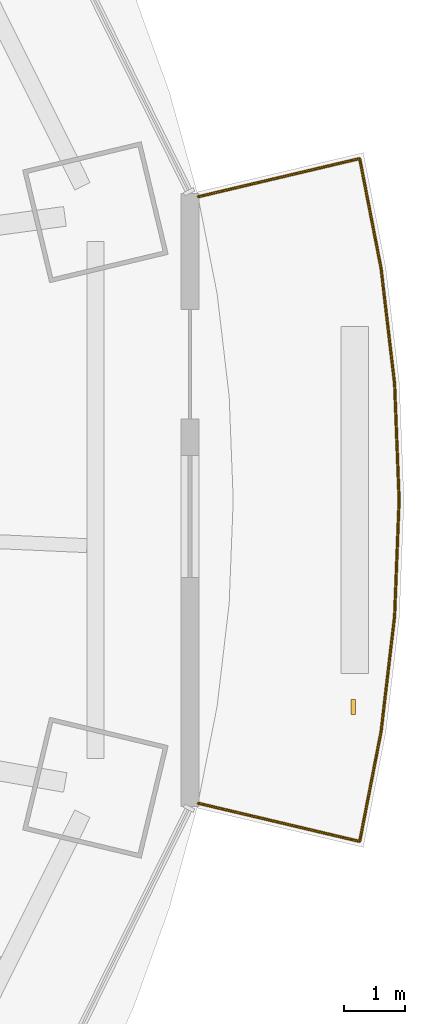
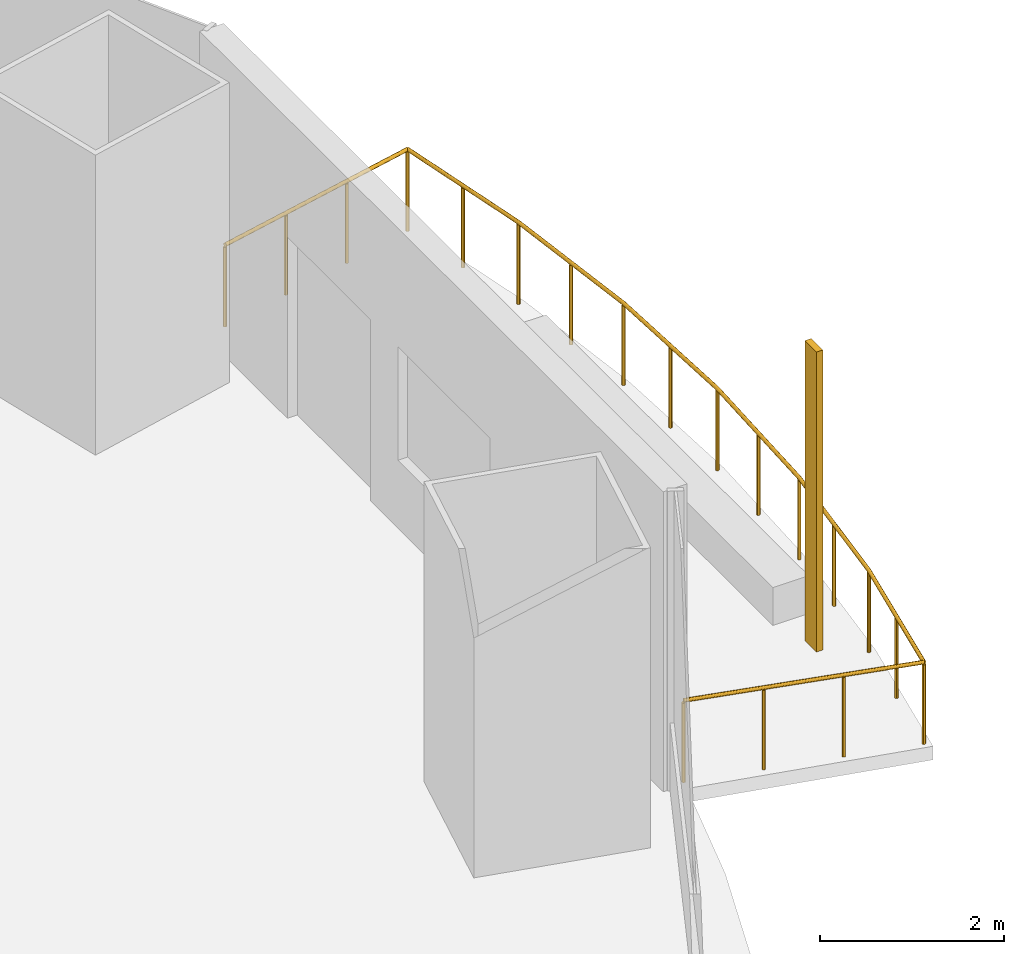
# One storey, part 18 of 19: 1 railing, 1 shading device.
"""IFC4 building model written with IfcOpenShell, lengths in metres."""

from ifc_helpers import new_model, si_unit, direction, frame, origin, origin_2d, place, context, subcontext, project, spatial, rectangle, circle, extrude, material, material_profile, profile_set, type_object, element, save


model = new_model("IFC4")

# Units and contexts
model_context = context("Model", 3, precision=1e-05, world=origin(), true_north=direction((0.0, 1.0)))
body_context = subcontext(model_context, "Body", "Model", "MODEL_VIEW")
ifc_project = project(units=[si_unit("LENGTHUNIT", "METRE"), si_unit("AREAUNIT", "SQUARE_METRE"), si_unit("VOLUMEUNIT", "CUBIC_METRE"), si_unit("PLANEANGLEUNIT", "RADIAN"), si_unit("MASSUNIT", "GRAM", prefix="KILO")], contexts=[model_context])

# Site, building, storey
site_placement = place(None, origin())
site = spatial("IfcSite", under=ifc_project, at=site_placement, CompositionType="ELEMENT")
building_placement = place(site_placement, origin())
building = spatial("IfcBuilding", under=site, at=building_placement, Name="Marenthal Gate Tower", CompositionType="ELEMENT")
storey_placement = place(building_placement, frame((0.0, 0.0, 223.300048828125)))
storey = spatial("IfcBuildingStorey", under=building, at=storey_placement, Name="L49", CompositionType="ELEMENT", Elevation=223.300048828125)

# Railing
ifc_material_1 = material(Name="Stainless steel", Category="steel")
railing_type = type_object("IfcRailingType", Name="Balcony guard 1100", PredefinedType="GUARDRAIL", material=ifc_material_1)
railing_placement = place(storey_placement, frame((32.034423828125, 4.3720703125, 0.0)))
element("IfcRailing", 1, at=railing_placement, inside=storey, type_object=railing_type, Name="Balcony guard L49 bay 16", PredefinedType="GUARDRAIL", context=body_context, shape_type="SweptSolid", body=[
    extrude(circle(Radius=0.02392578125, at=origin_2d()), frame((0.0, 0.0, 1.076171875), z_axis=(0.973052153091, 0.230114897669, -0.014718737604), x_axis=(-0.230139827907, 0.97315757183, 0.0)), (0.0, 0.0, 1.0), 2.72021484375),
    extrude(circle(Radius=0.02392578125, at=origin_2d()), frame((2.64697265625, 0.6259765625, 1.0361328125), z_axis=(0.191194170829, -0.981552234494, 0.0), x_axis=(0.981552234494, 0.191194170829, 0.0)), (0.0, 0.0, 1.0), 1.832275390625),
    extrude(circle(Radius=0.02392578125, at=origin_2d()), frame((2.997314453125, -1.172607421875, 1.0361328125), z_axis=(0.116314112708, -0.993212478368, 0.0), x_axis=(0.993212478368, 0.116314112708, 0.0)), (0.0, 0.0, 1.0), 1.907958984375),
    extrude(circle(Radius=0.02392578125, at=origin_2d()), frame((3.21923828125, -3.067626953125, 1.0361328125), z_axis=(0.038939806905, -0.999241558102, 0.0), x_axis=(0.999241558102, 0.038939806905, 0.0)), (0.0, 0.0, 1.0), 1.906005859375),
    extrude(circle(Radius=0.02392578125, at=origin_2d()), frame((3.29345703125, -4.97216796875, 1.0361328125), z_axis=(-0.038944791616, -0.999241363839, 0.0), x_axis=(0.999241363839, -0.038944791616, 0.0)), (0.0, 0.0, 1.0), 1.90576171875),
    extrude(circle(Radius=0.02392578125, at=origin_2d()), frame((3.21923828125, -6.87646484375, 1.0361328125), z_axis=(-0.116314112708, -0.993212478368, 0.0), x_axis=(0.993212478368, -0.116314112708, 0.0)), (0.0, 0.0, 1.0), 1.907958984375),
    extrude(circle(Radius=0.02392578125, at=origin_2d()), frame((2.997314453125, -8.771484375, 1.0361328125), z_axis=(-0.191194170829, -0.981552234494, 0.0), x_axis=(0.981552234494, -0.191194170829, 0.0)), (0.0, 0.0, 1.0), 1.832275390625),
    extrude(circle(Radius=0.02392578125, at=origin_2d()), frame((2.64697265625, -10.570068359375, 1.0361328125), z_axis=(-0.973052153091, 0.230114897669, 0.014718737604), x_axis=(-0.230139827907, -0.97315757183, 0.0)), (0.0, 0.0, 1.0), 2.72021484375),
    extrude(circle(Radius=0.02099609375, at=origin_2d()), origin(), (0.0, 0.0, 1.0), 1.052001953125),
    extrude(circle(Radius=0.02099609375, at=origin_2d()), frame((0.88232421875, 0.208740234375, -0.013427734375)), (0.0, 0.0, 1.0), 1.052001953125),
    extrude(circle(Radius=0.02099609375, at=origin_2d()), frame((1.7646484375, 0.417236328125, -0.026611328125)), (0.0, 0.0, 1.0), 1.052001953125),
    extrude(circle(Radius=0.02099609375, at=origin_2d()), frame((2.64697265625, 0.6259765625, -0.0400390625)), (0.0, 0.0, 1.0), 1.052001953125),
    extrude(circle(Radius=0.02099609375, at=origin_2d()), frame((2.822265625, -0.2734375, -0.0400390625)), (0.0, 0.0, 1.0), 1.052001953125),
    extrude(circle(Radius=0.02099609375, at=origin_2d()), frame((2.997314453125, -1.172607421875, -0.0400390625)), (0.0, 0.0, 1.0), 1.052001953125),
    extrude(circle(Radius=0.02099609375, at=origin_2d()), frame((3.1083984375, -2.1201171875, -0.0400390625)), (0.0, 0.0, 1.0), 1.052001953125),
    extrude(circle(Radius=0.02099609375, at=origin_2d()), frame((3.21923828125, -3.067626953125, -0.0400390625)), (0.0, 0.0, 1.0), 1.052001953125),
    extrude(circle(Radius=0.02099609375, at=origin_2d()), frame((3.25634765625, -4.02001953125, -0.0400390625)), (0.0, 0.0, 1.0), 1.052001953125),
    extrude(circle(Radius=0.02099609375, at=origin_2d()), frame((3.29345703125, -4.97216796875, -0.0400390625)), (0.0, 0.0, 1.0), 1.052001953125),
    extrude(circle(Radius=0.02099609375, at=origin_2d()), frame((3.25634765625, -5.92431640625, -0.0400390625)), (0.0, 0.0, 1.0), 1.052001953125),
    extrude(circle(Radius=0.02099609375, at=origin_2d()), frame((3.21923828125, -6.87646484375, -0.0400390625)), (0.0, 0.0, 1.0), 1.052001953125),
    extrude(circle(Radius=0.02099609375, at=origin_2d()), frame((3.1083984375, -7.823974609375, -0.0400390625)), (0.0, 0.0, 1.0), 1.052001953125),
    extrude(circle(Radius=0.02099609375, at=origin_2d()), frame((2.997314453125, -8.771484375, -0.0400390625)), (0.0, 0.0, 1.0), 1.052001953125),
    extrude(circle(Radius=0.02099609375, at=origin_2d()), frame((2.822265625, -9.6708984375, -0.0400390625)), (0.0, 0.0, 1.0), 1.052001953125),
    extrude(circle(Radius=0.02099609375, at=origin_2d()), frame((2.64697265625, -10.570068359375, -0.0400390625)), (0.0, 0.0, 1.0), 1.052001953125),
    extrude(circle(Radius=0.02099609375, at=origin_2d()), frame((1.7646484375, -10.361328125, -0.026611328125)), (0.0, 0.0, 1.0), 1.052001953125),
    extrude(circle(Radius=0.02099609375, at=origin_2d()), frame((0.88232421875, -10.15283203125, -0.013427734375)), (0.0, 0.0, 1.0), 1.052001953125),
    extrude(circle(Radius=0.02099609375, at=origin_2d()), frame((0.0, -9.944091796875, 0.0)), (0.0, 0.0, 1.0), 1.052001953125),
])

# Shading device
ifc_material_2 = material(Name="Terracotta", Category="masonry")
ifc_material_profile = material_profile(ifc_material_2, rectangle(XDim=0.25, YDim=0.080078125, at=origin_2d()), Name="Terracotta baguette 250x80")
ifc_profile_set = profile_set([ifc_material_profile], Name="Terracotta")
shading_device_type = type_object("IfcShadingDeviceType", Name="Terracotta BAGUETTE SCREEN 250x80", PredefinedType="USERDEFINED", material=ifc_profile_set)
shading_device_placement = place(storey_placement, frame((34.574951171875, -3.994873046875, -0.0400390625), z_axis=(0.0, 0.0, 1.0), x_axis=(0.0, 1.0, 0.0)))
element("IfcShadingDevice", 2, at=shading_device_placement, inside=storey, type_object=shading_device_type, Name="Terracotta BAGUETTE L49 bay 16L", ObjectType="BAGUETTE SCREEN", PredefinedType="USERDEFINED", context=body_context, shape_type="SweptSolid", body=[
    extrude(rectangle(XDim=0.25, YDim=0.080078125, at=origin_2d()), origin(), (0.0, 0.0, 1.0), 3.969970703125),
])

save(model, "model.ifc")
